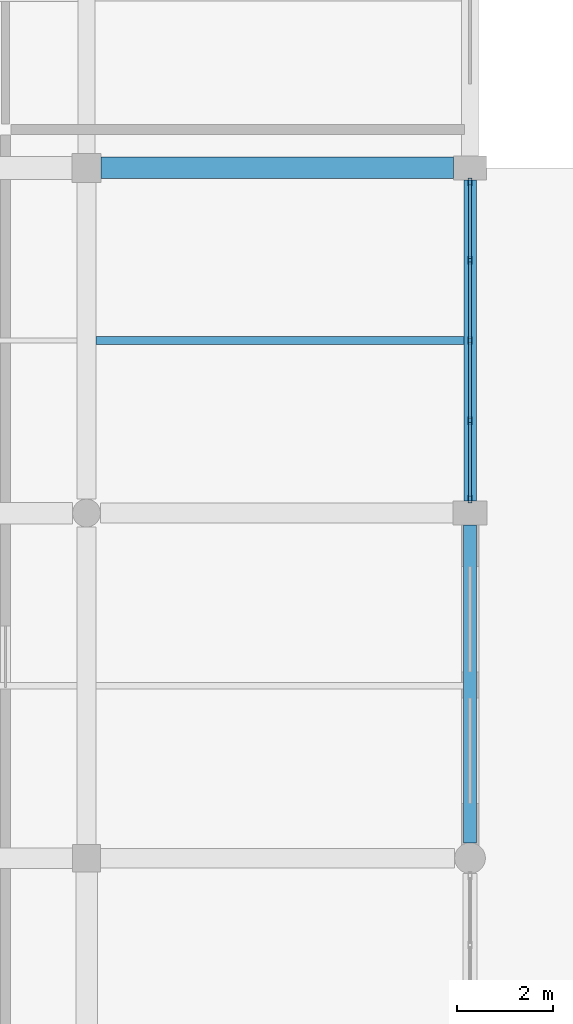
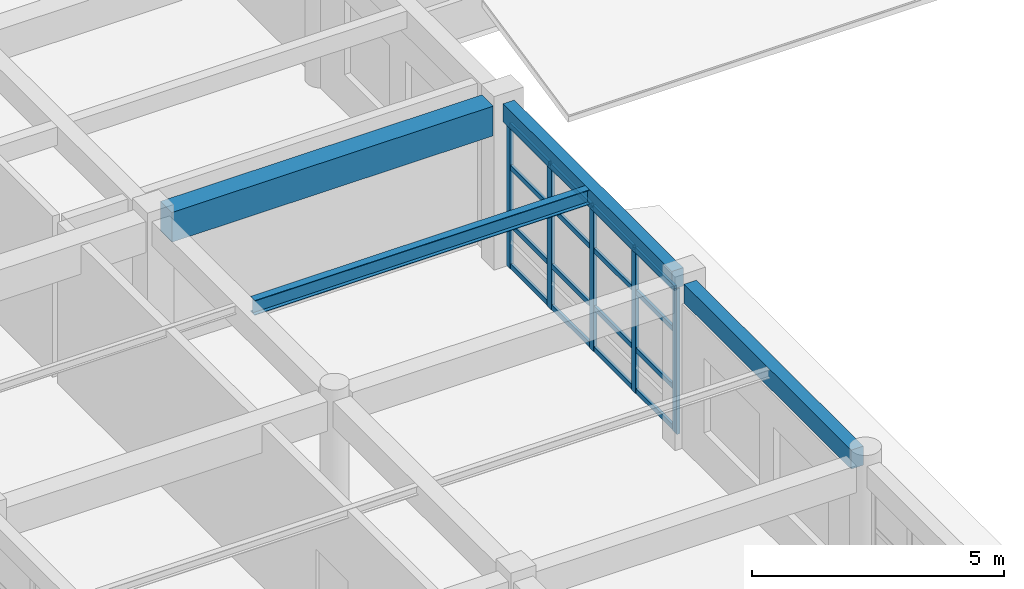
# One storey, part 53 of 121: 21 members, 4 beams, 1 element without a shape of its own.
"""IFC4 building model written with IfcOpenShell, lengths in metres."""

from ifc_helpers import new_model, si_unit, direction, frame, origin, origin_2d, place, context, subcontext, project, spatial, rectangle, hollow_rectangle, i_section, extrude, material, material_profile, profile_set, type_object, element, aggregate, save


model = new_model("IFC4")

# Units and contexts
model_context = context("Model", 3, precision=1e-05, world=origin(), true_north=direction((0.0, 1.0)))
body_context = subcontext(model_context, "Body", "Model", "MODEL_VIEW")
ifc_project = project(units=[si_unit("LENGTHUNIT", "METRE"), si_unit("AREAUNIT", "SQUARE_METRE"), si_unit("VOLUMEUNIT", "CUBIC_METRE"), si_unit("PLANEANGLEUNIT", "RADIAN"), si_unit("MASSUNIT", "GRAM", prefix="KILO")], contexts=[model_context])

# Site, building, storey
site_placement = place(None, origin())
site = spatial("IfcSite", under=ifc_project, at=site_placement, CompositionType="ELEMENT")
building_placement = place(site_placement, origin())
building = spatial("IfcBuilding", under=site, at=building_placement, Name="Kharva Crest Polytechnic", CompositionType="ELEMENT")
storey_placement = place(building_placement, frame((0.0, 0.0, 13.199951171875)))
storey = spatial("IfcBuildingStorey", under=building, at=storey_placement, Name="L03", CompositionType="ELEMENT", Elevation=13.199951171875)

# Beams
ifc_material_1 = material(Name="Concrete C35/45", Category="concrete")
ifc_material_profile_1 = material_profile(ifc_material_1, rectangle(XDim=0.449951171875, YDim=0.719970703125, at=origin_2d()), Name="RECT 450 X 720")
ifc_profile_set_1 = profile_set([ifc_material_profile_1], Name="Concrete C35/45")
beam_type_1 = type_object("IfcBeamType", Name="BM-RC-450X720", PredefinedType="BEAM", material=ifc_profile_set_1)
beam_1_placement = place(storey_placement, frame((40.300048828125, 93.199951171875, 3.60009765625), z_axis=(1.0, 0.0, 0.0), x_axis=(0.0, 1.0, 0.0)))
element("IfcBeam", 1, at=beam_1_placement, inside=storey, type_object=beam_type_1, Name="L03 Beam N/6-7", PredefinedType="BEAM", context=body_context, shape_type="SweptSolid", body=[
    extrude(rectangle(XDim=0.449951171875, YDim=0.719970703125, at=origin_2d()), origin(), (0.0, 0.0, 1.0), 7.35986328125),
])
ifc_material_2 = material(Name="Steel S355", Category="steel")
ifc_material_profile_2 = material_profile(ifc_material_2, i_section(OverallWidth=0.172119140625, OverallDepth=0.35791015625, WebThickness=0.0078125, FlangeThickness=0.01318359375, at=origin_2d()), Name="W360X57.8")
ifc_profile_set_2 = profile_set([ifc_material_profile_2], Name="Steel S355")
beam_type_2 = type_object("IfcBeamType", Name="BM-STL-W360X57", PredefinedType="JOIST", material=ifc_profile_set_2)
beam_2_placement = place(storey_placement, frame((40.199951171875, 89.60009765625, 3.781005859375), z_axis=(1.0, 0.0, 0.0), x_axis=(0.0, 1.0, 0.0)))
element("IfcBeam", 2, at=beam_2_placement, inside=storey, type_object=beam_type_2, Name="L03 Floor Joist 12", PredefinedType="JOIST", context=body_context, shape_type="SweptSolid", body=[
    extrude(i_section(OverallWidth=0.172119140625, OverallDepth=0.35791015625, WebThickness=0.0078125, FlangeThickness=0.01318359375, at=origin_2d()), origin(), (0.0, 0.0, 1.0), 7.670166015625),
])

# Curtain wall, members
ifc_material_3 = material(Name="Tempered insulated glass", Category="glass")
curtain_wall_type = type_object("IfcCurtainWallType", Name="CW-SYS-COURT", PredefinedType="USERDEFINED", material=ifc_material_3)
curtain_wall_placement = place(storey_placement, origin())
curtain_wall = element("IfcCurtainWall", 3, at=curtain_wall_placement, inside=storey, type_object=curtain_wall_type, Name="L03 Glazed Curtain Wall CW-171", ObjectType="CURTAIN WALL", PredefinedType="USERDEFINED")
ifc_material_profile_3 = material_profile(ifc_material_2, hollow_rectangle(XDim=0.080078125, YDim=0.159912109375, WallThickness=0.0048828125, at=origin_2d()), Name="RHS 160X80X5.0")
ifc_profile_set_3 = profile_set([ifc_material_profile_3], Name="Steel S355")
member_type_1 = type_object("IfcMemberType", Name="CWM-RHS160X80", PredefinedType="MULLION", material=ifc_profile_set_3)
member_1_placement = place(storey_placement, frame((48.0, 86.294921875, 0.0), z_axis=(0.0, 0.0, 1.0), x_axis=(-1.0, 0.0, 0.0)))
member_1 = element("IfcMember", 4, at=member_1_placement, type_object=member_type_1, Name="CW-171 mullion 1", PredefinedType="MULLION", context=body_context, shape_type="SweptSolid", body=[
    extrude(hollow_rectangle(XDim=0.080078125, YDim=0.159912109375, WallThickness=0.0048828125, at=origin_2d()), origin(), (0.0, 0.0, 1.0), 3.52001953125),
])
member_2_placement = place(storey_placement, frame((48.0, 87.927490234375, 0.0), z_axis=(0.0, 0.0, 1.0), x_axis=(-1.0, 0.0, 0.0)))
member_2 = element("IfcMember", 5, at=member_2_placement, type_object=member_type_1, Name="CW-171 mullion 2", PredefinedType="MULLION", context=body_context, shape_type="SweptSolid", body=[
    extrude(hollow_rectangle(XDim=0.080078125, YDim=0.159912109375, WallThickness=0.0048828125, at=origin_2d()), origin(), (0.0, 0.0, 1.0), 3.52001953125),
])
member_3_placement = place(storey_placement, frame((48.0, 89.60009765625, 0.0), z_axis=(0.0, 0.0, 1.0), x_axis=(-1.0, 0.0, 0.0)))
member_3 = element("IfcMember", 6, at=member_3_placement, type_object=member_type_1, Name="CW-171 mullion 3", PredefinedType="MULLION", context=body_context, shape_type="SweptSolid", body=[
    extrude(hollow_rectangle(XDim=0.080078125, YDim=0.159912109375, WallThickness=0.0048828125, at=origin_2d()), origin(), (0.0, 0.0, 1.0), 3.52001953125),
])
member_4_placement = place(storey_placement, frame((48.0, 91.2724609375, 0.0), z_axis=(0.0, 0.0, 1.0), x_axis=(-1.0, 0.0, 0.0)))
member_4 = element("IfcMember", 7, at=member_4_placement, type_object=member_type_1, Name="CW-171 mullion 4", PredefinedType="MULLION", context=body_context, shape_type="SweptSolid", body=[
    extrude(hollow_rectangle(XDim=0.080078125, YDim=0.159912109375, WallThickness=0.0048828125, at=origin_2d()), origin(), (0.0, 0.0, 1.0), 3.52001953125),
])
member_5_placement = place(storey_placement, frame((48.0, 92.905029296875, 0.0), z_axis=(0.0, 0.0, 1.0), x_axis=(-1.0, 0.0, 0.0)))
member_5 = element("IfcMember", 8, at=member_5_placement, type_object=member_type_1, Name="CW-171 mullion 5", PredefinedType="MULLION", context=body_context, shape_type="SweptSolid", body=[
    extrude(hollow_rectangle(XDim=0.080078125, YDim=0.159912109375, WallThickness=0.0048828125, at=origin_2d()), origin(), (0.0, 0.0, 1.0), 3.52001953125),
])
ifc_material_profile_4 = material_profile(ifc_material_2, hollow_rectangle(XDim=0.06005859375, YDim=0.1201171875, WallThickness=0.00390625, at=origin_2d()), Name="RHS 120X60X4.0")
ifc_profile_set_4 = profile_set([ifc_material_profile_4], Name="Steel S355")
member_type_2 = type_object("IfcMemberType", Name="CWT-RHS120X60", PredefinedType="USERDEFINED", material=ifc_profile_set_4)
member_6_placement = place(storey_placement, frame((48.0, 86.3349609375, 0.06005859375), z_axis=(0.0, 1.0, 0.0), x_axis=(-1.0, 0.0, 0.0)))
member_6 = element("IfcMember", 9, at=member_6_placement, type_object=member_type_2, Name="CW-171 transom 1.1", ObjectType="TRANSOM", PredefinedType="USERDEFINED", context=body_context, shape_type="SweptSolid", body=[
    extrude(hollow_rectangle(XDim=0.06005859375, YDim=0.1201171875, WallThickness=0.00390625, at=origin_2d()), origin(), (0.0, 0.0, 1.0), 1.552490234375),
])
member_7_placement = place(storey_placement, frame((48.0, 86.3349609375, 1.050048828125), z_axis=(0.0, 1.0, 0.0), x_axis=(-1.0, 0.0, 0.0)))
member_7 = element("IfcMember", 10, at=member_7_placement, type_object=member_type_2, Name="CW-171 transom 1.2", ObjectType="TRANSOM", PredefinedType="USERDEFINED", context=body_context, shape_type="SweptSolid", body=[
    extrude(hollow_rectangle(XDim=0.06005859375, YDim=0.1201171875, WallThickness=0.00390625, at=origin_2d()), origin(), (0.0, 0.0, 1.0), 1.552490234375),
])
member_8_placement = place(storey_placement, frame((48.0, 86.3349609375, 2.449951171875), z_axis=(0.0, 1.0, 0.0), x_axis=(-1.0, 0.0, 0.0)))
member_8 = element("IfcMember", 11, at=member_8_placement, type_object=member_type_2, Name="CW-171 transom 1.3", ObjectType="TRANSOM", PredefinedType="USERDEFINED", context=body_context, shape_type="SweptSolid", body=[
    extrude(hollow_rectangle(XDim=0.06005859375, YDim=0.1201171875, WallThickness=0.00390625, at=origin_2d()), origin(), (0.0, 0.0, 1.0), 1.552490234375),
])
member_9_placement = place(storey_placement, frame((48.0, 86.3349609375, 3.4599609375), z_axis=(0.0, 1.0, 0.0), x_axis=(-1.0, 0.0, 0.0)))
member_9 = element("IfcMember", 12, at=member_9_placement, type_object=member_type_2, Name="CW-171 transom 1.4", ObjectType="TRANSOM", PredefinedType="USERDEFINED", context=body_context, shape_type="SweptSolid", body=[
    extrude(hollow_rectangle(XDim=0.06005859375, YDim=0.1201171875, WallThickness=0.00390625, at=origin_2d()), origin(), (0.0, 0.0, 1.0), 1.552490234375),
])
member_10_placement = place(storey_placement, frame((48.0, 87.967529296875, 0.06005859375), z_axis=(0.0, 1.0, 0.0), x_axis=(-1.0, 0.0, 0.0)))
member_10 = element("IfcMember", 13, at=member_10_placement, type_object=member_type_2, Name="CW-171 transom 2.1", ObjectType="TRANSOM", PredefinedType="USERDEFINED", context=body_context, shape_type="SweptSolid", body=[
    extrude(hollow_rectangle(XDim=0.06005859375, YDim=0.1201171875, WallThickness=0.00390625, at=origin_2d()), origin(), (0.0, 0.0, 1.0), 1.592529296875),
])
member_11_placement = place(storey_placement, frame((48.0, 87.967529296875, 1.050048828125), z_axis=(0.0, 1.0, 0.0), x_axis=(-1.0, 0.0, 0.0)))
member_11 = element("IfcMember", 14, at=member_11_placement, type_object=member_type_2, Name="CW-171 transom 2.2", ObjectType="TRANSOM", PredefinedType="USERDEFINED", context=body_context, shape_type="SweptSolid", body=[
    extrude(hollow_rectangle(XDim=0.06005859375, YDim=0.1201171875, WallThickness=0.00390625, at=origin_2d()), origin(), (0.0, 0.0, 1.0), 1.592529296875),
])
member_12_placement = place(storey_placement, frame((48.0, 87.967529296875, 2.449951171875), z_axis=(0.0, 1.0, 0.0), x_axis=(-1.0, 0.0, 0.0)))
member_12 = element("IfcMember", 15, at=member_12_placement, type_object=member_type_2, Name="CW-171 transom 2.3", ObjectType="TRANSOM", PredefinedType="USERDEFINED", context=body_context, shape_type="SweptSolid", body=[
    extrude(hollow_rectangle(XDim=0.06005859375, YDim=0.1201171875, WallThickness=0.00390625, at=origin_2d()), origin(), (0.0, 0.0, 1.0), 1.592529296875),
])
member_13_placement = place(storey_placement, frame((48.0, 87.967529296875, 3.4599609375), z_axis=(0.0, 1.0, 0.0), x_axis=(-1.0, 0.0, 0.0)))
member_13 = element("IfcMember", 16, at=member_13_placement, type_object=member_type_2, Name="CW-171 transom 2.4", ObjectType="TRANSOM", PredefinedType="USERDEFINED", context=body_context, shape_type="SweptSolid", body=[
    extrude(hollow_rectangle(XDim=0.06005859375, YDim=0.1201171875, WallThickness=0.00390625, at=origin_2d()), origin(), (0.0, 0.0, 1.0), 1.592529296875),
])
member_14_placement = place(storey_placement, frame((48.0, 89.639892578125, 0.06005859375), z_axis=(0.0, 1.0, 0.0), x_axis=(-1.0, 0.0, 0.0)))
member_14 = element("IfcMember", 17, at=member_14_placement, type_object=member_type_2, Name="CW-171 transom 3.1", ObjectType="TRANSOM", PredefinedType="USERDEFINED", context=body_context, shape_type="SweptSolid", body=[
    extrude(hollow_rectangle(XDim=0.06005859375, YDim=0.1201171875, WallThickness=0.00390625, at=origin_2d()), origin(), (0.0, 0.0, 1.0), 1.592529296875),
])
member_15_placement = place(storey_placement, frame((48.0, 89.639892578125, 1.050048828125), z_axis=(0.0, 1.0, 0.0), x_axis=(-1.0, 0.0, 0.0)))
member_15 = element("IfcMember", 18, at=member_15_placement, type_object=member_type_2, Name="CW-171 transom 3.2", ObjectType="TRANSOM", PredefinedType="USERDEFINED", context=body_context, shape_type="SweptSolid", body=[
    extrude(hollow_rectangle(XDim=0.06005859375, YDim=0.1201171875, WallThickness=0.00390625, at=origin_2d()), origin(), (0.0, 0.0, 1.0), 1.592529296875),
])
member_16_placement = place(storey_placement, frame((48.0, 89.639892578125, 2.449951171875), z_axis=(0.0, 1.0, 0.0), x_axis=(-1.0, 0.0, 0.0)))
member_16 = element("IfcMember", 19, at=member_16_placement, type_object=member_type_2, Name="CW-171 transom 3.3", ObjectType="TRANSOM", PredefinedType="USERDEFINED", context=body_context, shape_type="SweptSolid", body=[
    extrude(hollow_rectangle(XDim=0.06005859375, YDim=0.1201171875, WallThickness=0.00390625, at=origin_2d()), origin(), (0.0, 0.0, 1.0), 1.592529296875),
])
member_17_placement = place(storey_placement, frame((48.0, 89.639892578125, 3.4599609375), z_axis=(0.0, 1.0, 0.0), x_axis=(-1.0, 0.0, 0.0)))
member_17 = element("IfcMember", 20, at=member_17_placement, type_object=member_type_2, Name="CW-171 transom 3.4", ObjectType="TRANSOM", PredefinedType="USERDEFINED", context=body_context, shape_type="SweptSolid", body=[
    extrude(hollow_rectangle(XDim=0.06005859375, YDim=0.1201171875, WallThickness=0.00390625, at=origin_2d()), origin(), (0.0, 0.0, 1.0), 1.592529296875),
])
member_18_placement = place(storey_placement, frame((48.0, 91.3125, 0.06005859375), z_axis=(0.0, 1.0, 0.0), x_axis=(-1.0, 0.0, 0.0)))
member_18 = element("IfcMember", 21, at=member_18_placement, type_object=member_type_2, Name="CW-171 transom 4.1", ObjectType="TRANSOM", PredefinedType="USERDEFINED", context=body_context, shape_type="SweptSolid", body=[
    extrude(hollow_rectangle(XDim=0.06005859375, YDim=0.1201171875, WallThickness=0.00390625, at=origin_2d()), origin(), (0.0, 0.0, 1.0), 1.552490234375),
])
member_19_placement = place(storey_placement, frame((48.0, 91.3125, 1.050048828125), z_axis=(0.0, 1.0, 0.0), x_axis=(-1.0, 0.0, 0.0)))
member_19 = element("IfcMember", 22, at=member_19_placement, type_object=member_type_2, Name="CW-171 transom 4.2", ObjectType="TRANSOM", PredefinedType="USERDEFINED", context=body_context, shape_type="SweptSolid", body=[
    extrude(hollow_rectangle(XDim=0.06005859375, YDim=0.1201171875, WallThickness=0.00390625, at=origin_2d()), origin(), (0.0, 0.0, 1.0), 1.552490234375),
])
member_20_placement = place(storey_placement, frame((48.0, 91.3125, 2.449951171875), z_axis=(0.0, 1.0, 0.0), x_axis=(-1.0, 0.0, 0.0)))
member_20 = element("IfcMember", 23, at=member_20_placement, type_object=member_type_2, Name="CW-171 transom 4.3", ObjectType="TRANSOM", PredefinedType="USERDEFINED", context=body_context, shape_type="SweptSolid", body=[
    extrude(hollow_rectangle(XDim=0.06005859375, YDim=0.1201171875, WallThickness=0.00390625, at=origin_2d()), origin(), (0.0, 0.0, 1.0), 1.552490234375),
])
member_21_placement = place(storey_placement, frame((48.0, 91.3125, 3.4599609375), z_axis=(0.0, 1.0, 0.0), x_axis=(-1.0, 0.0, 0.0)))
member_21 = element("IfcMember", 24, at=member_21_placement, type_object=member_type_2, Name="CW-171 transom 4.4", ObjectType="TRANSOM", PredefinedType="USERDEFINED", context=body_context, shape_type="SweptSolid", body=[
    extrude(hollow_rectangle(XDim=0.06005859375, YDim=0.1201171875, WallThickness=0.00390625, at=origin_2d()), origin(), (0.0, 0.0, 1.0), 1.552490234375),
])
aggregate(curtain_wall, [member_1, member_2, member_3, member_4, member_5, member_6, member_7, member_8, member_9, member_10, member_11, member_12, member_13, member_14, member_15, member_16, member_17, member_18, member_19, member_20, member_21])

# Beams
ifc_material_profile_5 = material_profile(ifc_material_1, rectangle(XDim=0.260009765625, YDim=0.43994140625, at=origin_2d()), Name="RECT 260 X 440")
ifc_profile_set_5 = profile_set([ifc_material_profile_5], Name="Concrete C35/45")
beam_type_3 = type_object("IfcBeamType", Name="SP-RC-260X440", PredefinedType="SPANDREL", material=ifc_profile_set_5)
beam_3_placement = place(storey_placement, frame((48.0, 86.25, 3.739990234375), z_axis=(0.0, 1.0, 0.0), x_axis=(-1.0, 0.0, 0.0)))
element("IfcBeam", 25, at=beam_3_placement, inside=storey, type_object=beam_type_3, Name="L03 Girder 7/M-N", PredefinedType="SPANDREL", context=body_context, shape_type="SweptSolid", body=[
    extrude(rectangle(XDim=0.260009765625, YDim=0.43994140625, at=origin_2d()), origin(), (0.0, 0.0, 1.0), 6.699951171875),
])
ifc_material_profile_6 = material_profile(ifc_material_1, rectangle(XDim=0.280029296875, YDim=0.4599609375, at=origin_2d()), Name="RECT 280 X 460")
ifc_profile_set_6 = profile_set([ifc_material_profile_6], Name="Concrete C35/45")
beam_type_4 = type_object("IfcBeamType", Name="SP-RC-280X460", PredefinedType="SPANDREL", material=ifc_profile_set_6)
beam_4_placement = place(storey_placement, frame((48.0, 79.1201171875, 3.72998046875), z_axis=(0.0, 1.0, 0.0), x_axis=(-1.0, 0.0, 0.0)))
element("IfcBeam", 26, at=beam_4_placement, inside=storey, type_object=beam_type_4, Name="L03 Girder 7/L-M", PredefinedType="SPANDREL", context=body_context, shape_type="SweptSolid", body=[
    extrude(rectangle(XDim=0.280029296875, YDim=0.4599609375, at=origin_2d()), origin(), (0.0, 0.0, 1.0), 6.6298828125),
])

save(model, "model.ifc")
